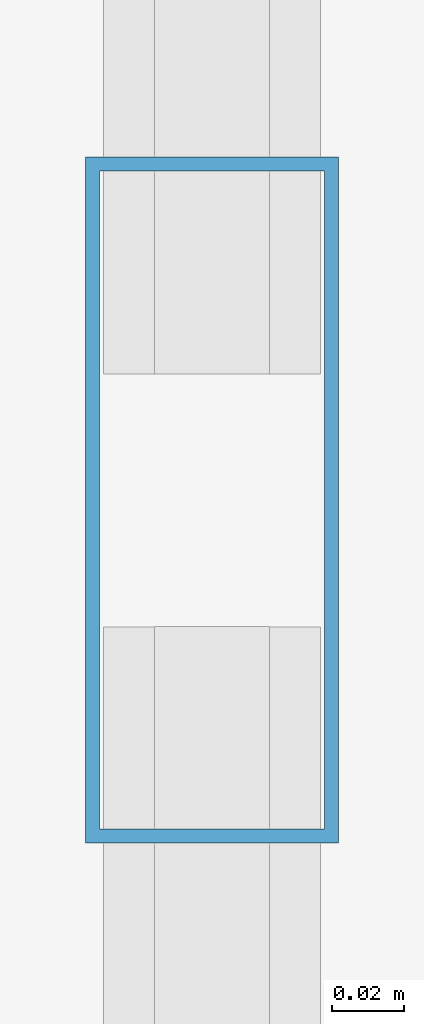
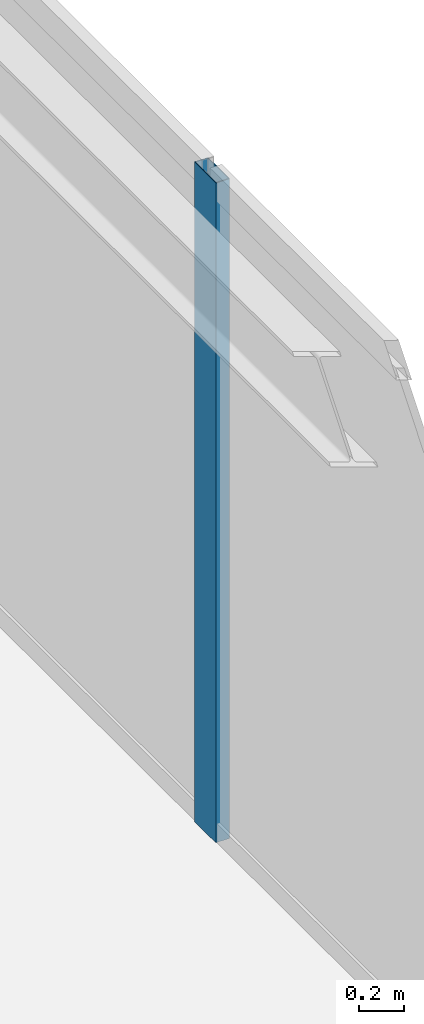
# One storey, part 18 of 33: 1 member, 1 element without a shape of its own.
"""IFC4 building model written with IfcOpenShell, lengths in metres."""

from ifc_helpers import new_model, si_unit, direction, frame, origin, origin_2d, place, context, subcontext, project, spatial, hollow_rectangle, extrude, source, transform, mapped, material, layer, layer_set, material_profile, profile_set, type_object, type_shapes, element, aggregate, save


model = new_model("IFC4")

# Units and contexts
model_context = context("Model", 3, precision=1e-05, world=origin(), true_north=direction((0.0, 1.0)))
body_context = subcontext(model_context, "Body", "Model", "MODEL_VIEW")
ifc_project = project(units=[si_unit("LENGTHUNIT", "METRE"), si_unit("AREAUNIT", "SQUARE_METRE"), si_unit("VOLUMEUNIT", "CUBIC_METRE"), si_unit("PLANEANGLEUNIT", "RADIAN"), si_unit("MASSUNIT", "GRAM", prefix="KILO")], contexts=[model_context])

# Site, building, storey
site_placement = place(None, origin())
site = spatial("IfcSite", under=ifc_project, at=site_placement, CompositionType="ELEMENT")
building_placement = place(site_placement, origin())
building = spatial("IfcBuilding", under=site, at=building_placement, Name="Varnel Quay Broadcast Tower", CompositionType="ELEMENT")
storey_placement = place(building_placement, frame((0.0, 0.0, 129.60009765625)))
storey = spatial("IfcBuildingStorey", under=building, at=storey_placement, Name="L31", CompositionType="ELEMENT", Elevation=129.60009765625)

# Curtain wall, member
ifc_material = material(Name="Anodised Bronze Aluminium 6063-T6", Category="aluminium")
ifc_layer = layer(ifc_material, 0.18994140625, Name="Anodised Bronze Aluminium 6063-T6")
ifc_layer_set = layer_set([ifc_layer], Name="Anodised Bronze Aluminium 6063-T6")
curtain_wall_type = type_object("IfcCurtainWallType", Name="CW_LowerTower", PredefinedType="NOTDEFINED", material=ifc_layer_set)
curtain_wall_placement = place(storey_placement, origin())
curtain_wall = element("IfcCurtainWall", 1, at=curtain_wall_placement, inside=storey, type_object=curtain_wall_type, Name="L31 East Unitised Curtain Wall", PredefinedType="NOTDEFINED")
ifc_material_profile = material_profile(ifc_material, hollow_rectangle(XDim=0.070068359375, YDim=0.18994140625, WallThickness=0.00390625, at=origin_2d()), Name="ALU70X190X4")
ifc_profile_set = profile_set([ifc_material_profile], Name="Anodised Bronze Aluminium 6063-T6")
member_type = type_object("IfcMemberType", Name="Mull_CWS-02", PredefinedType="MULLION", material=ifc_profile_set)
shared_shape = source(origin(), body_context, "Body", "SweptSolid", [
    extrude(hollow_rectangle(XDim=0.070068359375, YDim=0.18994140625, WallThickness=0.00390625, at=origin_2d()), origin(), (0.0, 0.0, 1.0), 3.5498046875),
])
type_shapes(member_type, [shared_shape])
member_placement = place(storey_placement, frame((63.35009765625, 19.60009765625, 0.0), z_axis=(0.0, 0.0, 1.0), x_axis=(-1.0, 0.0, 0.0)))
member = element("IfcMember", 2, at=member_placement, type_object=member_type, Name="CWS-02 mullion 2", PredefinedType="MULLION", context=body_context, shape_type="MappedRepresentation", body=[
    mapped(shared_shape, transform((0.0, 0.0, 0.0), x_axis=(1.0, 0.0, 0.0), y_axis=(0.0, 1.0, 0.0), z_axis=(0.0, 0.0, 1.0), scale=1.0)),
])
aggregate(curtain_wall, [member])

save(model, "model.ifc")
